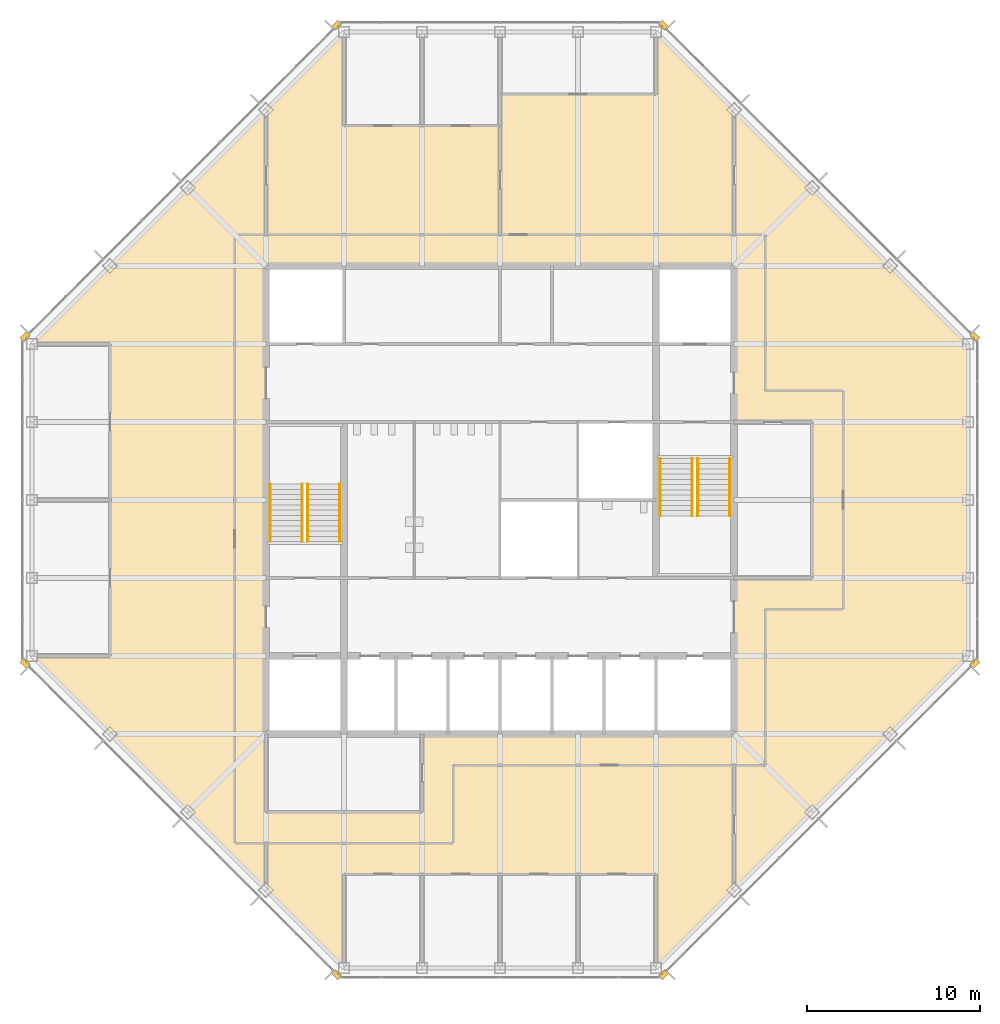
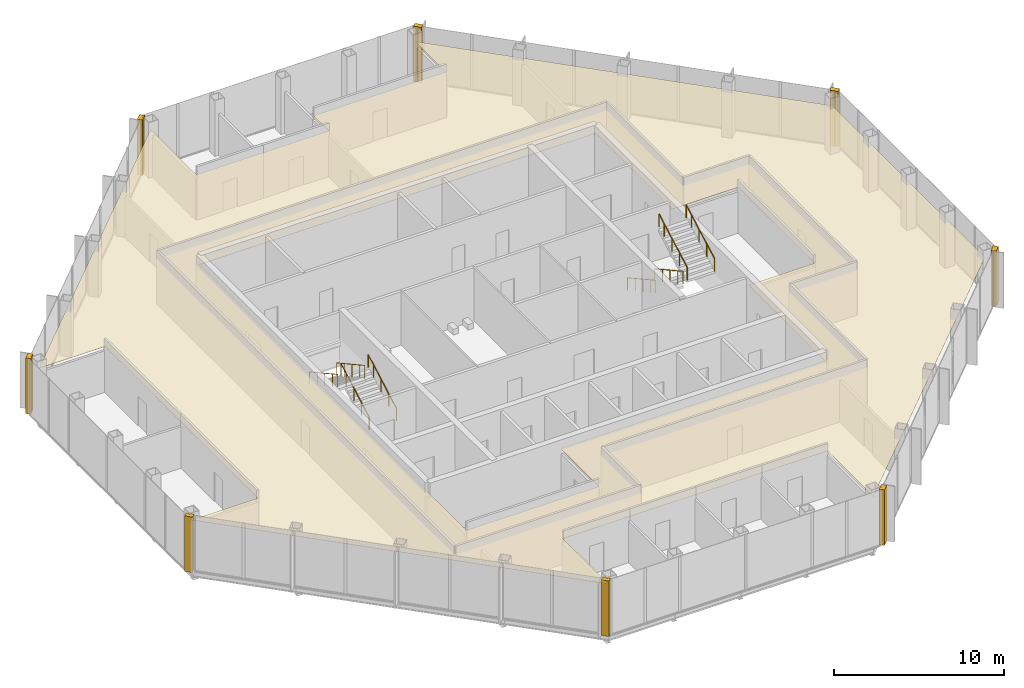
# One storey, part 12 of 13: 9 coverings, 8 railings.
"""IFC4 building model written with IfcOpenShell, lengths in metres."""

from ifc_helpers import new_model, si_unit, direction, frame, origin, origin_2d, place, context, subcontext, project, spatial, polyline, circle, outline, extrude, material, layer, layer_set, type_object, element, save


model = new_model("IFC4")

# Units and contexts
model_context = context("Model", 3, precision=1e-05, world=origin(), true_north=direction((0.0, 1.0)))
body_context = subcontext(model_context, "Body", "Model", "MODEL_VIEW")
ifc_project = project(units=[si_unit("LENGTHUNIT", "METRE"), si_unit("AREAUNIT", "SQUARE_METRE"), si_unit("VOLUMEUNIT", "CUBIC_METRE"), si_unit("PLANEANGLEUNIT", "RADIAN"), si_unit("MASSUNIT", "GRAM", prefix="KILO")], contexts=[model_context])

# Site, building, storey
site_placement = place(None, origin())
site = spatial("IfcSite", under=ifc_project, at=site_placement, CompositionType="ELEMENT")
building_placement = place(site_placement, origin())
building = spatial("IfcBuilding", under=site, at=building_placement, Name="Corais Broadcast Tower", CompositionType="ELEMENT")
storey_placement = place(building_placement, frame((0.0, 0.0, 222.60009765625)))
storey = spatial("IfcBuildingStorey", under=building, at=storey_placement, Name="L51", CompositionType="ELEMENT", Elevation=222.60009765625)

# Railings
ifc_material_1 = material(Name="Stainless steel handrail", Category="steel")
railing_type = type_object("IfcRailingType", Name="Handrail 920", PredefinedType="HANDRAIL", material=ifc_material_1)
for number, where, name in (
    (1, (17.75, 24.60009765625, 0.16650390625), "HR1 L51"),
    (2, (15.89990234375, 24.60009765625, 0.16650390625), "HR1 L51"),
):
    element("IfcRailing", number, at=place(storey_placement, frame(where)), inside=storey, type_object=railing_type, Name=name, PredefinedType="HANDRAIL", context=body_context, shape_type="SweptSolid", body=[
        extrude(circle(Radius=0.02392578125, at=origin_2d()), frame((0.0, 0.0, 0.89599609375), z_axis=(0.0, 0.875504475178, 0.483210010185), x_axis=(-1.0, 0.0, 0.0)), (0.0, 0.0, 1.0), 3.79443359375),
        extrude(circle(Radius=0.02099609375, at=origin_2d()), origin(), (0.0, 0.0, 1.0), 0.871826171875),
        extrude(circle(Radius=0.02099609375, at=origin_2d()), frame((0.0, 0.906005859375, 0.5)), (0.0, 0.0, 1.0), 0.871826171875),
        extrude(circle(Radius=0.02099609375, at=origin_2d()), frame((0.0, 1.81201171875, 1.0)), (0.0, 0.0, 1.0), 0.871826171875),
        extrude(circle(Radius=0.02099609375, at=origin_2d()), frame((0.0, 2.718017578125, 1.500244140625)), (0.0, 0.0, 1.0), 0.871826171875),
        extrude(circle(Radius=0.02099609375, at=origin_2d()), frame((0.0, 3.322021484375, 1.83349609375)), (0.0, 0.0, 1.0), 0.871826171875),
    ])
for number, where, name in (
    (3, (13.75, 27.922119140625, 2.16650390625), "HR1 L51"),
    (4, (15.60009765625, 27.922119140625, 2.16650390625), "HR1 L51"),
    (5, (36.25, 29.39990234375, 0.16650390625), "HR1 L51"),
    (6, (38.10009765625, 29.39990234375, 0.16650390625), "HR1 L51"),
):
    element("IfcRailing", number, at=place(storey_placement, frame(where)), inside=storey, type_object=railing_type, Name=name, PredefinedType="HANDRAIL", context=body_context, shape_type="SweptSolid", body=[
        extrude(circle(Radius=0.02392578125, at=origin_2d()), frame((0.0, 0.0, 0.89599609375), z_axis=(0.0, -0.875504475178, 0.483210010185), x_axis=(1.0, 0.0, 0.0)), (0.0, 0.0, 1.0), 3.79443359375),
        extrude(circle(Radius=0.02099609375, at=origin_2d()), origin(), (0.0, 0.0, 1.0), 0.871826171875),
        extrude(circle(Radius=0.02099609375, at=origin_2d()), frame((0.0, -0.906005859375, 0.5)), (0.0, 0.0, 1.0), 0.871826171875),
        extrude(circle(Radius=0.02099609375, at=origin_2d()), frame((0.0, -1.81201171875, 1.0)), (0.0, 0.0, 1.0), 0.871826171875),
        extrude(circle(Radius=0.02099609375, at=origin_2d()), frame((0.0, -2.718017578125, 1.500244140625)), (0.0, 0.0, 1.0), 0.871826171875),
        extrude(circle(Radius=0.02099609375, at=origin_2d()), frame((0.0, -3.322021484375, 1.83349609375)), (0.0, 0.0, 1.0), 0.871826171875),
    ])
for number, where, name in (
    (7, (40.25, 26.077880859375, 2.16650390625), "HR1 L51"),
    (8, (38.39990234375, 26.077880859375, 2.16650390625), "HR1 L51"),
):
    element("IfcRailing", number, at=place(storey_placement, frame(where)), inside=storey, type_object=railing_type, Name=name, PredefinedType="HANDRAIL", context=body_context, shape_type="SweptSolid", body=[
        extrude(circle(Radius=0.02392578125, at=origin_2d()), frame((0.0, 0.0, 0.89599609375), z_axis=(0.0, 0.875504475178, 0.483210010185), x_axis=(-1.0, 0.0, 0.0)), (0.0, 0.0, 1.0), 3.79443359375),
        extrude(circle(Radius=0.02099609375, at=origin_2d()), origin(), (0.0, 0.0, 1.0), 0.871826171875),
        extrude(circle(Radius=0.02099609375, at=origin_2d()), frame((0.0, 0.906005859375, 0.5)), (0.0, 0.0, 1.0), 0.871826171875),
        extrude(circle(Radius=0.02099609375, at=origin_2d()), frame((0.0, 1.81201171875, 1.0)), (0.0, 0.0, 1.0), 0.871826171875),
        extrude(circle(Radius=0.02099609375, at=origin_2d()), frame((0.0, 2.718017578125, 1.500244140625)), (0.0, 0.0, 1.0), 0.871826171875),
        extrude(circle(Radius=0.02099609375, at=origin_2d()), frame((0.0, 3.322021484375, 1.83349609375)), (0.0, 0.0, 1.0), 0.871826171875),
    ])

# Coverings
ifc_material_2 = material(Name="Granite stone cladding", Category="masonry")
ifc_layer_1 = layer(ifc_material_2, 0.324951171875)
ifc_layer_set_1 = layer_set([ifc_layer_1], Name="Granite stone cladding")
covering_type_1 = type_object("IfcCoveringType", Name="Stone corner pier cladding 500x325", PredefinedType="CLADDING", material=ifc_layer_set_1)
covering_1_placement = place(storey_placement, origin())
element("IfcCovering", 9, at=covering_1_placement, inside=storey, type_object=covering_type_1, Name="SP1 stone corner pier L51", PredefinedType="CLADDING", context=body_context, shape_type="SweptSolid", body=[
    extrude(outline(polyline([(17.860595703125, -0.461669921875), (17.7490234375, -0.35009765625), (17.64990234375, -0.35009765625), (17.64990234375, -0.2509765625), (17.507080078125, -0.108154296875), (17.277099609375, -0.337890625), (17.630859375, -0.69140625), (17.860595703125, -0.461669921875)])), origin(), (0.0, 0.0, 1.0), 4.0),
])
covering_2_placement = place(storey_placement, origin())
element("IfcCovering", 10, at=covering_2_placement, inside=storey, type_object=covering_type_1, Name="SP1 stone corner pier L51", PredefinedType="CLADDING", context=body_context, shape_type="SweptSolid", body=[
    extrude(outline(polyline([(-0.35009765625, 17.7490234375), (-0.461669921875, 17.860595703125), (-0.69140625, 17.630859375), (-0.337890625, 17.277099609375), (-0.108154296875, 17.507080078125), (-0.2509765625, 17.64990234375), (-0.35009765625, 17.64990234375), (-0.35009765625, 17.7490234375)])), origin(), (0.0, 0.0, 1.0), 4.0),
])
covering_3_placement = place(storey_placement, origin())
element("IfcCovering", 11, at=covering_3_placement, inside=storey, type_object=covering_type_1, Name="SP1 stone corner pier L51", PredefinedType="CLADDING", context=body_context, shape_type="SweptSolid", body=[
    extrude(outline(polyline([(-0.461669921875, 36.139404296875), (-0.35009765625, 36.2509765625), (-0.35009765625, 36.35009765625), (-0.2509765625, 36.35009765625), (-0.108154296875, 36.492919921875), (-0.337890625, 36.722900390625), (-0.69140625, 36.369140625), (-0.461669921875, 36.139404296875)])), origin(), (0.0, 0.0, 1.0), 4.0),
])
covering_4_placement = place(storey_placement, origin())
element("IfcCovering", 12, at=covering_4_placement, inside=storey, type_object=covering_type_1, Name="SP1 stone corner pier L51", PredefinedType="CLADDING", context=body_context, shape_type="SweptSolid", body=[
    extrude(outline(polyline([(17.7490234375, 54.35009765625), (17.860595703125, 54.461669921875), (17.630859375, 54.69140625), (17.277099609375, 54.337890625), (17.507080078125, 54.108154296875), (17.64990234375, 54.2509765625), (17.64990234375, 54.35009765625), (17.7490234375, 54.35009765625)])), origin(), (0.0, 0.0, 1.0), 4.0),
])
covering_5_placement = place(storey_placement, origin())
element("IfcCovering", 13, at=covering_5_placement, inside=storey, type_object=covering_type_1, Name="SP1 stone corner pier L51", PredefinedType="CLADDING", context=body_context, shape_type="SweptSolid", body=[
    extrude(outline(polyline([(36.139404296875, 54.461669921875), (36.2509765625, 54.35009765625), (36.35009765625, 54.35009765625), (36.35009765625, 54.2509765625), (36.492919921875, 54.108154296875), (36.722900390625, 54.337890625), (36.369140625, 54.69140625), (36.139404296875, 54.461669921875)])), origin(), (0.0, 0.0, 1.0), 4.0),
])
covering_6_placement = place(storey_placement, origin())
element("IfcCovering", 14, at=covering_6_placement, inside=storey, type_object=covering_type_1, Name="SP1 stone corner pier L51", PredefinedType="CLADDING", context=body_context, shape_type="SweptSolid", body=[
    extrude(outline(polyline([(54.35009765625, 36.2509765625), (54.461669921875, 36.139404296875), (54.69140625, 36.369140625), (54.337890625, 36.722900390625), (54.108154296875, 36.492919921875), (54.2509765625, 36.35009765625), (54.35009765625, 36.35009765625), (54.35009765625, 36.2509765625)])), origin(), (0.0, 0.0, 1.0), 4.0),
])
covering_7_placement = place(storey_placement, origin())
element("IfcCovering", 15, at=covering_7_placement, inside=storey, type_object=covering_type_1, Name="SP1 stone corner pier L51", PredefinedType="CLADDING", context=body_context, shape_type="SweptSolid", body=[
    extrude(outline(polyline([(54.461669921875, 17.860595703125), (54.35009765625, 17.7490234375), (54.35009765625, 17.64990234375), (54.2509765625, 17.64990234375), (54.108154296875, 17.507080078125), (54.337890625, 17.277099609375), (54.69140625, 17.630859375), (54.461669921875, 17.860595703125)])), origin(), (0.0, 0.0, 1.0), 4.0),
])
covering_8_placement = place(storey_placement, origin())
element("IfcCovering", 16, at=covering_8_placement, inside=storey, type_object=covering_type_1, Name="SP1 stone corner pier L51", PredefinedType="CLADDING", context=body_context, shape_type="SweptSolid", body=[
    extrude(outline(polyline([(36.2509765625, -0.35009765625), (36.139404296875, -0.461669921875), (36.369140625, -0.69140625), (36.722900390625, -0.337890625), (36.492919921875, -0.108154296875), (36.35009765625, -0.2509765625), (36.35009765625, -0.35009765625), (36.2509765625, -0.35009765625)])), origin(), (0.0, 0.0, 1.0), 4.0),
])
ifc_material_3 = material(Name="Mineral fibre ceiling tile", Category="mineral")
ifc_layer_2 = layer(ifc_material_3, 0.02001953125)
ifc_layer_set_2 = layer_set([ifc_layer_2], Name="Mineral fibre ceiling tile")
covering_type_2 = type_object("IfcCoveringType", Name="Suspended ceiling", PredefinedType="CEILING", material=ifc_layer_set_2)
covering_9_placement = place(storey_placement, frame((0.0, 0.0, 3.219970703125)))
element("IfcCovering", 17, at=covering_9_placement, inside=storey, type_object=covering_type_2, Name="CE1 ceiling L51", PredefinedType="CEILING", context=body_context, shape_type="SweptSolid", body=[
    extrude(outline(polyline([(13.5, 49.5), (18.0, 54.0), (18.0, 48.60009765625), (27.0, 48.60009765625), (27.0, 50.39990234375), (36.0, 50.39990234375), (36.0, 54.0), (54.0, 36.0), (54.0, 18.0), (40.500244140625, 4.500244140625), (40.498779296875, 4.498779296875), (40.498291015625, 4.498291015625), (36.0, 0.0), (36.0, 5.39990234375), (18.0, 5.39990234375), (18.0, 0.0), (13.501708984375, 4.498291015625), (13.499755859375, 4.500244140625), (0.0, 18.0), (4.5, 18.0), (4.5, 36.0), (0.0, 36.0), (13.5, 49.5)]), holes=[polyline([(45.0, 22.5), (45.0, 31.5), (40.5, 31.5), (40.5, 40.5), (13.5, 40.5), (13.5, 9.0), (22.5, 9.0), (22.5, 13.5), (40.5, 13.5), (40.5, 22.5), (45.0, 22.5)])]), origin(), (0.0, 0.0, 1.0), 0.02001953125),
])

save(model, "model.ifc")
